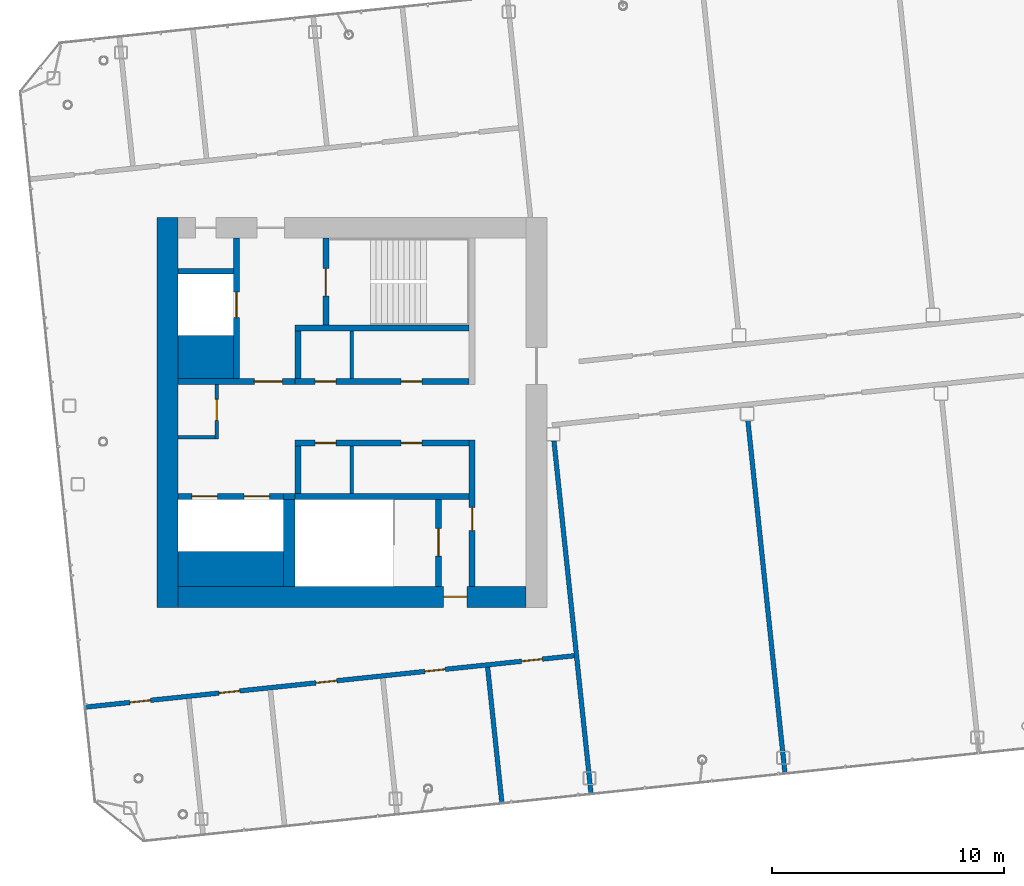
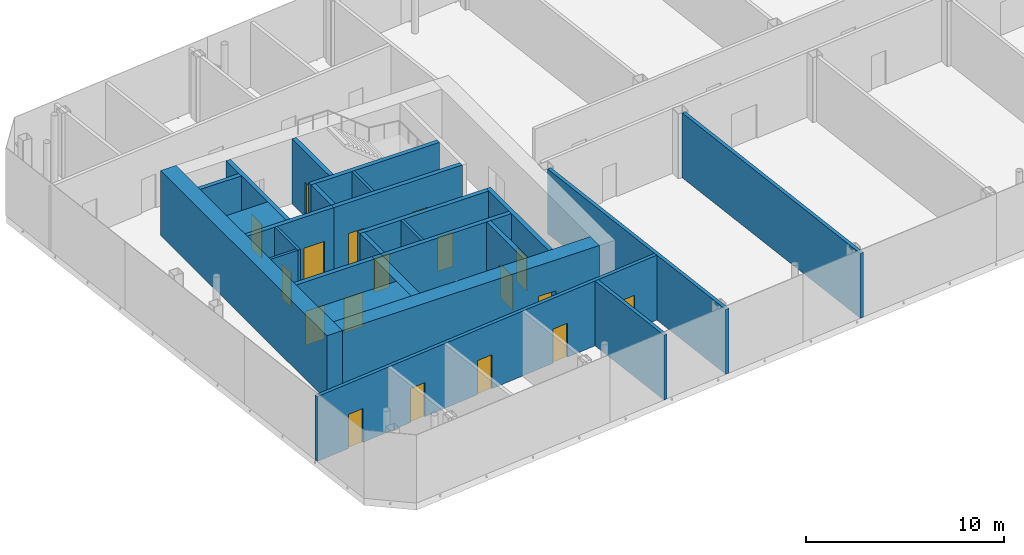
# One storey, part 8 of 28: 27 walls, 18 doors, 18 openings.
"""IFC4 building model written with IfcOpenShell, lengths in metres."""

from ifc_helpers import new_model, si_unit, direction, frame, frame_2d, origin, place, context, subcontext, project, spatial, rectangle, extrude, material, layer, layer_set, type_object, element, fill, save


model = new_model("IFC4")

# Units and contexts
model_context = context("Model", 3, precision=1e-05, world=origin(), true_north=direction((0.0, 1.0)))
body_context = subcontext(model_context, "Body", "Model", "MODEL_VIEW")
ifc_project = project(units=[si_unit("LENGTHUNIT", "METRE"), si_unit("AREAUNIT", "SQUARE_METRE"), si_unit("VOLUMEUNIT", "CUBIC_METRE"), si_unit("PLANEANGLEUNIT", "RADIAN"), si_unit("MASSUNIT", "GRAM", prefix="KILO")], contexts=[model_context])

# Site, building, storey
site_placement = place(None, origin())
site = spatial("IfcSite", under=ifc_project, at=site_placement, CompositionType="ELEMENT")
building_placement = place(site_placement, origin())
building = spatial("IfcBuilding", under=site, at=building_placement, Name="Hakoniwa Tower and Hamabe Station Hall", CompositionType="ELEMENT")
storey_placement = place(building_placement, frame((0.0, 0.0, 280.800048828125)))
storey = spatial("IfcBuildingStorey", under=building, at=storey_placement, Name="L78", CompositionType="ELEMENT", Elevation=280.800048828125)

# Wall, opening, door
ifc_material_1 = material(Name="Gypsum board partition")
ifc_layer_1 = layer(ifc_material_1, 0.14990234375)
ifc_layer_set_1 = layer_set([ifc_layer_1], Name="CORE PARTITION 150 EI 60")
wall_type_1 = type_object("IfcWallType", Name="CORE PARTITION 150 EI 60", PredefinedType="PARTITIONING", material=ifc_layer_set_1)
wall_1_placement = place(storey_placement, frame((-31.02490234375, -1.14990234375, 0.0), z_axis=(0.0, 0.0, 1.0), x_axis=(0.0, 1.0, 0.0)))
wall_1 = element("IfcWall", 1, at=wall_1_placement, inside=storey, type_object=wall_type_1, Name="Core partition PW0 west", PredefinedType="PARTITIONING", context=body_context, shape_type="SweptSolid", body=[
    extrude(rectangle(XDim=2.349853515625, YDim=0.14990234375, at=frame_2d((1.1748046875, 0.0))), origin(), (0.0, 0.0, 1.0), 4.0),
])
opening_1_placement = place(wall_1_placement, frame((0.800048828125, 0.0, 0.0)))
opening_1 = element("IfcOpeningElement", 2, at=opening_1_placement, cuts=wall_1, Name="Opening CD-W-RM1-9", PredefinedType="OPENING", context=body_context, shape_type="SweptSolid", body=[
    extrude(rectangle(XDim=0.89990234375, YDim=2.10009765625, at=frame_2d((0.449951171875, 1.050048828125))), frame((0.0, 0.0849609375, 0.0), z_axis=(0.0, -1.0, 0.0), x_axis=(1.0, 0.0, 0.0)), (0.0, 0.0, 1.0), 0.169921875),
])
ifc_material_2 = material(Name="Steel fire door", Category="steel")
door_type_1 = type_object("IfcDoorType", Name="CORE DOOR 900 FD30", OperationType="NOTDEFINED", PredefinedType="DOOR", material=ifc_material_2)
door_1_placement = place(opening_1_placement, origin())
door_1 = element("IfcDoor", 3, at=door_1_placement, inside=storey, type_object=door_type_1, Name="Store room door", OperationType="SINGLE_SWING_RIGHT", OverallHeight=2.10009765625, OverallWidth=0.89990234375, PredefinedType="DOOR", context=body_context, shape_type="SweptSolid", body=[
    extrude(rectangle(XDim=0.89990234375, YDim=2.10009765625, at=frame_2d((0.449951171875, 1.050048828125))), frame((0.0, 0.02490234375, 0.0), z_axis=(0.0, -1.0, 0.0), x_axis=(1.0, 0.0, 0.0)), (0.0, 0.0, 1.0), 0.050048828125),
])
fill(opening_1, door_1)

# Walls
wall_2_placement = place(storey_placement, frame((-32.699951171875, -1.074951171875, 0.0), z_axis=(0.0, 0.0, 1.0), x_axis=(1.0, 0.0, 0.0)))
element("IfcWall", 4, at=wall_2_placement, inside=storey, type_object=wall_type_1, Name="Core partition PS west", PredefinedType="PARTITIONING", context=body_context, shape_type="SweptSolid", body=[
    extrude(rectangle(XDim=1.599853515625, YDim=0.14990234375, at=frame_2d((0.7998046875, 0.0))), origin(), (0.0, 0.0, 1.0), 4.0),
])
for number, where, z_axis, x_axis, name in (
    (5, (-25.199951171875, 1.449951171875, 0.0), (0.0, 0.0, 1.0), (0.0, 1.0, 0.0), "Core partition PFLR0 west"),
    (6, (-25.199951171875, -3.5, 0.0), (0.0, 0.0, 1.0), (0.0, 1.0, 0.0), "Core partition PFHR0 west"),
):
    element("IfcWall", number, at=place(storey_placement, frame(where, z_axis=z_axis, x_axis=x_axis)), inside=storey, type_object=wall_type_1, Name=name, PredefinedType="PARTITIONING", context=body_context, shape_type="SweptSolid", body=[
        extrude(rectangle(XDim=2.050048828125, YDim=0.14990234375, at=frame_2d((1.02490234375, 0.0))), origin(), (0.0, 0.0, 1.0), 4.0),
    ])
ifc_material_3 = material(Name="Concrete C60", Category="concrete")
ifc_layer_2 = layer(ifc_material_3, 0.89990234375)
ifc_layer_set_2 = layer_set([ifc_layer_2], Name="CORE WALL 900 C60")
wall_type_2 = type_object("IfcWallType", Name="CORE WALL 900 C60", PredefinedType="SHEAR", material=ifc_layer_set_2)
wall_3_placement = place(storey_placement, frame((-33.14990234375, -8.39990234375, 0.0), z_axis=(0.0, 0.0, 1.0), x_axis=(0.0, 1.0, 0.0)))
element("IfcWall", 7, at=wall_3_placement, inside=storey, type_object=wall_type_2, Name="Core wall OUTER west", PredefinedType="SHEAR", context=body_context, shape_type="SweptSolid", body=[
    extrude(rectangle(XDim=16.7998046875, YDim=0.89990234375, at=frame_2d((8.39990234375, 0.0))), origin(), (0.0, 0.0, 1.0), 4.0),
])

# Wall, opening, door
wall_4_placement = place(storey_placement, frame((-32.699951171875, -7.949951171875, 0.0), z_axis=(0.0, 0.0, 1.0), x_axis=(1.0, 0.0, 0.0)))
wall_4 = element("IfcWall", 8, at=wall_4_placement, inside=storey, type_object=wall_type_2, Name="Core wall SOUTH west", PredefinedType="SHEAR", context=body_context, shape_type="SweptSolid", body=[
    extrude(rectangle(XDim=15.0, YDim=0.89990234375, at=frame_2d((7.5, 0.0))), origin(), (0.0, 0.0, 1.0), 4.0),
])
opening_2_placement = place(wall_4_placement, frame((11.449951171875, 0.0, 0.0)))
opening_2 = element("IfcOpeningElement", 9, at=opening_2_placement, cuts=wall_4, Name="Opening CD-W-FS3-10", PredefinedType="OPENING", context=body_context, shape_type="SweptSolid", body=[
    extrude(rectangle(XDim=1.0, YDim=2.10009765625, at=frame_2d((0.5, 1.050048828125))), frame((0.0, 0.4599609375, 0.0), z_axis=(0.0, -1.0, 0.0), x_axis=(1.0, 0.0, 0.0)), (0.0, 0.0, 1.0), 0.919921875),
])
ifc_material_4 = material(Name="Steel fire door", Category="steel")
door_type_2 = type_object("IfcDoorType", Name="CORE DOOR 1000 FD60", OperationType="NOTDEFINED", PredefinedType="DOOR", material=ifc_material_4)
door_2_placement = place(opening_2_placement, origin())
door_2 = element("IfcDoor", 10, at=door_2_placement, inside=storey, type_object=door_type_2, Name="Stair vestibule door", OperationType="SINGLE_SWING_LEFT", OverallHeight=2.10009765625, OverallWidth=1.0, PredefinedType="DOOR", context=body_context, shape_type="SweptSolid", body=[
    extrude(rectangle(XDim=1.0, YDim=2.10009765625, at=frame_2d((0.5, 1.050048828125))), frame((0.0, 0.02490234375, 0.0), z_axis=(0.0, -1.0, 0.0), x_axis=(1.0, 0.0, 0.0)), (0.0, 0.0, 1.0), 0.050048828125),
])
fill(opening_2, door_2)

# Walls
ifc_material_5 = material(Name="Concrete C60", Category="concrete")
ifc_layer_3 = layer(ifc_material_5, 1.5)
ifc_layer_set_3 = layer_set([ifc_layer_3], Name="CORE WEB WALL 1500 C60")
wall_type_3 = type_object("IfcWallType", Name="CORE WEB WALL 1500 C60", PredefinedType="SHEAR", material=ifc_layer_set_3)
wall_5_placement = place(storey_placement, frame((-32.699951171875, -6.75, 0.0), z_axis=(0.0, 0.0, 1.0), x_axis=(1.0, 0.0, 0.0)))
element("IfcWall", 11, at=wall_5_placement, inside=storey, type_object=wall_type_3, Name="Core wall SER west", PredefinedType="SHEAR", context=body_context, shape_type="SweptSolid", body=[
    extrude(rectangle(XDim=4.550048828125, YDim=1.5, at=frame_2d((2.27490234375, 0.0))), origin(), (0.0, 0.0, 1.0), 4.0),
])
ifc_material_6 = material(Name="Concrete C60", Category="concrete")
ifc_layer_4 = layer(ifc_material_6, 1.85009765625)
ifc_layer_set_4 = layer_set([ifc_layer_4], Name="CORE WEB WALL 1850 C60")
wall_type_4 = type_object("IfcWallType", Name="CORE WEB WALL 1850 C60", PredefinedType="SHEAR", material=ifc_layer_set_4)
wall_6_placement = place(storey_placement, frame((-32.699951171875, 2.375, 0.0), z_axis=(0.0, 0.0, 1.0), x_axis=(1.0, 0.0, 0.0)))
element("IfcWall", 12, at=wall_6_placement, inside=storey, type_object=wall_type_4, Name="Core wall CA west", PredefinedType="SHEAR", context=body_context, shape_type="SweptSolid", body=[
    extrude(rectangle(XDim=2.39990234375, YDim=1.85009765625, at=frame_2d((1.199951171875, 0.0))), origin(), (0.0, 0.0, 1.0), 4.0),
])

# Wall, opening, door
ifc_material_7 = material(Name="Concrete C60", Category="concrete")
ifc_layer_5 = layer(ifc_material_7, 0.25)
ifc_layer_set_5 = layer_set([ifc_layer_5], Name="CORE WEB WALL 250 C60")
wall_type_5 = type_object("IfcWallType", Name="CORE WEB WALL 250 C60", PredefinedType="SHEAR", material=ifc_layer_set_5)
wall_7_placement = place(storey_placement, frame((-20.02490234375, -7.5, 0.0), z_axis=(0.0, 0.0, 1.0), x_axis=(0.0, 1.0, 0.0)))
wall_7 = element("IfcWall", 13, at=wall_7_placement, inside=storey, type_object=wall_type_5, Name="Core wall W1S west", PredefinedType="SHEAR", context=body_context, shape_type="SweptSolid", body=[
    extrude(rectangle(XDim=6.300048828125, YDim=0.25, at=frame_2d((3.14990234375, 0.0))), origin(), (0.0, 0.0, 1.0), 4.0),
])
opening_3_placement = place(wall_7_placement, frame((2.39990234375, 0.0, 0.0)))
opening_3 = element("IfcOpeningElement", 14, at=opening_3_placement, cuts=wall_7, Name="Opening CD-W-VS-10", PredefinedType="OPENING", context=body_context, shape_type="SweptSolid", body=[
    extrude(rectangle(XDim=1.0, YDim=2.10009765625, at=frame_2d((0.5, 1.050048828125))), frame((0.0, 0.135009765625, 0.0), z_axis=(0.0, -1.0, 0.0), x_axis=(1.0, 0.0, 0.0)), (0.0, 0.0, 1.0), 0.27001953125),
])
door_3_placement = place(opening_3_placement, origin())
door_3 = element("IfcDoor", 15, at=door_3_placement, inside=storey, type_object=door_type_2, Name="Stair vestibule door", OperationType="SINGLE_SWING_LEFT", OverallHeight=2.10009765625, OverallWidth=1.0, PredefinedType="DOOR", context=body_context, shape_type="SweptSolid", body=[
    extrude(rectangle(XDim=1.0, YDim=2.10009765625, at=frame_2d((0.5, 1.050048828125))), frame((0.0, 0.02490234375, 0.0), z_axis=(0.0, -1.0, 0.0), x_axis=(1.0, 0.0, 0.0)), (0.0, 0.0, 1.0), 0.050048828125),
])
fill(opening_3, door_3)

# Wall, openings, doors
wall_8_placement = place(storey_placement, frame((-27.64990234375, 1.324951171875, 0.0), z_axis=(0.0, 0.0, 1.0), x_axis=(1.0, 0.0, 0.0)))
wall_8 = element("IfcWall", 16, at=wall_8_placement, inside=storey, type_object=wall_type_5, Name="Core wall NF west", PredefinedType="SHEAR", context=body_context, shape_type="SweptSolid", body=[
    extrude(rectangle(XDim=7.5, YDim=0.25, at=frame_2d((3.75, 0.0))), origin(), (0.0, 0.0, 1.0), 4.0),
])
opening_4_placement = place(wall_8_placement, frame((4.5625, 0.0, 0.0)))
opening_4 = element("IfcOpeningElement", 17, at=opening_4_placement, cuts=wall_8, Name="Opening CD-W-FRLR0-9", PredefinedType="OPENING", context=body_context, shape_type="SweptSolid", body=[
    extrude(rectangle(XDim=0.89990234375, YDim=2.10009765625, at=frame_2d((0.449951171875, 1.050048828125))), frame((0.0, 0.135009765625, 0.0), z_axis=(0.0, -1.0, 0.0), x_axis=(1.0, 0.0, 0.0)), (0.0, 0.0, 1.0), 0.27001953125),
])
opening_5_placement = place(wall_8_placement, frame((0.862548828125, 0.0, 0.0)))
opening_5 = element("IfcOpeningElement", 18, at=opening_5_placement, cuts=wall_8, Name="Opening CD-W-FRLR1-9", PredefinedType="OPENING", context=body_context, shape_type="SweptSolid", body=[
    extrude(rectangle(XDim=0.89990234375, YDim=2.10009765625, at=frame_2d((0.449951171875, 1.050048828125))), frame((0.0, 0.135009765625, 0.0), z_axis=(0.0, -1.0, 0.0), x_axis=(1.0, 0.0, 0.0)), (0.0, 0.0, 1.0), 0.27001953125),
])
door_4_placement = place(opening_4_placement, origin())
door_4 = element("IfcDoor", 19, at=door_4_placement, inside=storey, type_object=door_type_1, Name="Store room door", OperationType="SINGLE_SWING_RIGHT", OverallHeight=2.10009765625, OverallWidth=0.89990234375, PredefinedType="DOOR", context=body_context, shape_type="SweptSolid", body=[
    extrude(rectangle(XDim=0.89990234375, YDim=2.10009765625, at=frame_2d((0.449951171875, 1.050048828125))), frame((0.0, 0.02490234375, 0.0), z_axis=(0.0, -1.0, 0.0), x_axis=(1.0, 0.0, 0.0)), (0.0, 0.0, 1.0), 0.050048828125),
])
fill(opening_4, door_4)
door_5_placement = place(opening_5_placement, origin())
door_5 = element("IfcDoor", 20, at=door_5_placement, inside=storey, type_object=door_type_1, Name="Store room door", OperationType="SINGLE_SWING_LEFT", OverallHeight=2.10009765625, OverallWidth=0.89990234375, PredefinedType="DOOR", context=body_context, shape_type="SweptSolid", body=[
    extrude(rectangle(XDim=0.89990234375, YDim=2.10009765625, at=frame_2d((0.449951171875, 1.050048828125))), frame((0.0, 0.02490234375, 0.0), z_axis=(0.0, -1.0, 0.0), x_axis=(1.0, 0.0, 0.0)), (0.0, 0.0, 1.0), 0.050048828125),
])
fill(opening_5, door_5)

# Walls
wall_9_placement = place(storey_placement, frame((-27.52490234375, 1.449951171875, 0.0), z_axis=(0.0, 0.0, 1.0), x_axis=(0.0, 1.0, 0.0)))
element("IfcWall", 21, at=wall_9_placement, inside=storey, type_object=wall_type_5, Name="Core wall NE west", PredefinedType="SHEAR", context=body_context, shape_type="SweptSolid", body=[
    extrude(rectangle(XDim=2.050048828125, YDim=0.25, at=frame_2d((1.02490234375, 0.0))), origin(), (0.0, 0.0, 1.0), 4.0),
])
wall_10_placement = place(storey_placement, frame((-27.64990234375, 3.625, 0.0), z_axis=(0.0, 0.0, 1.0), x_axis=(1.0, 0.0, 0.0)))
element("IfcWall", 22, at=wall_10_placement, inside=storey, type_object=wall_type_5, Name="Core wall NR west", PredefinedType="SHEAR", context=body_context, shape_type="SweptSolid", body=[
    extrude(rectangle(XDim=7.5, YDim=0.25, at=frame_2d((3.75, 0.0))), origin(), (0.0, 0.0, 1.0), 4.0),
])

# Wall, opening, door
wall_11_placement = place(storey_placement, frame((-26.324951171875, 3.75, 0.0), z_axis=(0.0, 0.0, 1.0), x_axis=(0.0, 1.0, 0.0)))
wall_11 = element("IfcWall", 23, at=wall_11_placement, inside=storey, type_object=wall_type_5, Name="Core wall NSE west", PredefinedType="SHEAR", context=body_context, shape_type="SweptSolid", body=[
    extrude(rectangle(XDim=3.75, YDim=0.25, at=frame_2d((1.875, 0.0))), origin(), (0.0, 0.0, 1.0), 4.0),
])
opening_6_placement = place(wall_11_placement, frame((1.25, 0.0, 0.0)))
opening_6 = element("IfcOpeningElement", 24, at=opening_6_placement, cuts=wall_11, Name="Opening CD-W-SN-12", PredefinedType="OPENING", context=body_context, shape_type="SweptSolid", body=[
    extrude(rectangle(XDim=1.199951171875, YDim=2.10009765625, at=frame_2d((0.60009765625, 1.050048828125))), frame((0.0, 0.135009765625, 0.0), z_axis=(0.0, -1.0, 0.0), x_axis=(1.0, 0.0, 0.0)), (0.0, 0.0, 1.0), 0.27001953125),
])
ifc_material_8 = material(Name="Steel fire door", Category="steel")
door_type_3 = type_object("IfcDoorType", Name="CORE DOOR 1200 FD60", OperationType="DOUBLE_DOOR_SINGLE_SWING", PredefinedType="DOOR", material=ifc_material_8)
door_6_placement = place(opening_6_placement, origin())
door_6 = element("IfcDoor", 25, at=door_6_placement, inside=storey, type_object=door_type_3, Name="Escape stair door", OperationType="DOUBLE_DOOR_SINGLE_SWING", OverallHeight=2.10009765625, OverallWidth=1.199951171875, PredefinedType="DOOR", context=body_context, shape_type="SweptSolid", body=[
    extrude(rectangle(XDim=1.199951171875, YDim=2.10009765625, at=frame_2d((0.60009765625, 1.050048828125))), frame((0.0, 0.02490234375, 0.0), z_axis=(0.0, -1.0, 0.0), x_axis=(1.0, 0.0, 0.0)), (0.0, 0.0, 1.0), 0.050048828125),
])
fill(opening_6, door_6)

wall_12_placement = place(storey_placement, frame((-32.699951171875, 1.324951171875, 0.0), z_axis=(0.0, 0.0, 1.0), x_axis=(1.0, 0.0, 0.0)))
wall_12 = element("IfcWall", 26, at=wall_12_placement, inside=storey, type_object=wall_type_5, Name="Core wall ELN west", PredefinedType="SHEAR", context=body_context, shape_type="SweptSolid", body=[
    extrude(rectangle(XDim=5.050048828125, YDim=0.25, at=frame_2d((2.52490234375, 0.0))), origin(), (0.0, 0.0, 1.0), 4.0),
])
opening_7_placement = place(wall_12_placement, frame((3.300048828125, 0.0, 0.0)))
opening_7 = element("IfcOpeningElement", 27, at=opening_7_placement, cuts=wall_12, Name="Opening CD-W-FL-12", PredefinedType="OPENING", context=body_context, shape_type="SweptSolid", body=[
    extrude(rectangle(XDim=1.199951171875, YDim=2.10009765625, at=frame_2d((0.60009765625, 1.050048828125))), frame((0.0, 0.135009765625, 0.0), z_axis=(0.0, -1.0, 0.0), x_axis=(1.0, 0.0, 0.0)), (0.0, 0.0, 1.0), 0.27001953125),
])
door_7_placement = place(opening_7_placement, origin())
door_7 = element("IfcDoor", 28, at=door_7_placement, inside=storey, type_object=door_type_3, Name="Stair vestibule door to the fire-fighting lobby", OperationType="DOUBLE_DOOR_SINGLE_SWING", OverallHeight=2.10009765625, OverallWidth=1.199951171875, PredefinedType="DOOR", context=body_context, shape_type="SweptSolid", body=[
    extrude(rectangle(XDim=1.199951171875, YDim=2.10009765625, at=frame_2d((0.60009765625, 1.050048828125))), frame((0.0, 0.02490234375, 0.0), z_axis=(0.0, -1.0, 0.0), x_axis=(1.0, 0.0, 0.0)), (0.0, 0.0, 1.0), 0.050048828125),
])
fill(opening_7, door_7)

wall_13_placement = place(storey_placement, frame((-30.175048828125, 1.449951171875, 0.0), z_axis=(0.0, 0.0, 1.0), x_axis=(0.0, 1.0, 0.0)))
wall_13 = element("IfcWall", 29, at=wall_13_placement, inside=storey, type_object=wall_type_5, Name="Core wall FFF west", PredefinedType="SHEAR", context=body_context, shape_type="SweptSolid", body=[
    extrude(rectangle(XDim=6.050048828125, YDim=0.25, at=frame_2d((3.02490234375, 0.0))), origin(), (0.0, 0.0, 1.0), 4.0),
])
opening_8_placement = place(wall_13_placement, frame((2.625, 0.0, 0.0)))
opening_8 = element("IfcOpeningElement", 30, at=opening_8_placement, cuts=wall_13, Name="Opening LD-FF1", PredefinedType="OPENING", context=body_context, shape_type="SweptSolid", body=[
    extrude(rectangle(XDim=1.10009765625, YDim=2.10009765625, at=frame_2d((0.550048828125, 1.050048828125))), frame((0.0, 0.135009765625, 0.0), z_axis=(0.0, -1.0, 0.0), x_axis=(1.0, 0.0, 0.0)), (0.0, 0.0, 1.0), 0.27001953125),
])
ifc_material_9 = material(Name="Stainless steel SUS304", Category="steel")
door_type_4 = type_object("IfcDoorType", Name="LIFT LANDING DOOR 1100 FD60", OperationType="DOUBLE_DOOR_SLIDING", PredefinedType="DOOR", material=ifc_material_9)
door_8_placement = place(opening_8_placement, origin())
door_8 = element("IfcDoor", 31, at=door_8_placement, inside=storey, type_object=door_type_4, Name="Lift landing door FF1 L78", OperationType="DOUBLE_DOOR_SLIDING", OverallHeight=2.10009765625, OverallWidth=1.10009765625, PredefinedType="DOOR", context=body_context, shape_type="SweptSolid", body=[
    extrude(rectangle(XDim=1.10009765625, YDim=2.10009765625, at=frame_2d((0.550048828125, 1.050048828125))), frame((0.0, 0.02490234375, 0.0), z_axis=(0.0, -1.0, 0.0), x_axis=(1.0, 0.0, 0.0)), (0.0, 0.0, 1.0), 0.050048828125),
])
fill(opening_8, door_8)

# Wall
wall_14_placement = place(storey_placement, frame((-32.699951171875, 6.074951171875, 0.0), z_axis=(0.0, 0.0, 1.0), x_axis=(1.0, 0.0, 0.0)))
element("IfcWall", 32, at=wall_14_placement, inside=storey, type_object=wall_type_5, Name="Core wall C2 west", PredefinedType="SHEAR", context=body_context, shape_type="SweptSolid", body=[
    extrude(rectangle(XDim=2.39990234375, YDim=0.25, at=frame_2d((1.199951171875, 0.0))), origin(), (0.0, 0.0, 1.0), 4.0),
])

# Wall, openings, doors
wall_15_placement = place(storey_placement, frame((-27.64990234375, -1.324951171875, 0.0), z_axis=(0.0, 0.0, 1.0), x_axis=(1.0, 0.0, 0.0)))
wall_15 = element("IfcWall", 33, at=wall_15_placement, inside=storey, type_object=wall_type_5, Name="Core wall SF west", PredefinedType="SHEAR", context=body_context, shape_type="SweptSolid", body=[
    extrude(rectangle(XDim=7.5, YDim=0.25, at=frame_2d((3.75, 0.0))), origin(), (0.0, 0.0, 1.0), 4.0),
])
opening_9_placement = place(wall_15_placement, frame((4.5625, 0.0, 0.0)))
opening_9 = element("IfcOpeningElement", 34, at=opening_9_placement, cuts=wall_15, Name="Opening CD-W-FRHR2-9", PredefinedType="OPENING", context=body_context, shape_type="SweptSolid", body=[
    extrude(rectangle(XDim=0.89990234375, YDim=2.10009765625, at=frame_2d((0.449951171875, 1.050048828125))), frame((0.0, 0.135009765625, 0.0), z_axis=(0.0, -1.0, 0.0), x_axis=(1.0, 0.0, 0.0)), (0.0, 0.0, 1.0), 0.27001953125),
])
opening_10_placement = place(wall_15_placement, frame((0.862548828125, 0.0, 0.0)))
opening_10 = element("IfcOpeningElement", 35, at=opening_10_placement, cuts=wall_15, Name="Opening CD-W-FRHR3-9", PredefinedType="OPENING", context=body_context, shape_type="SweptSolid", body=[
    extrude(rectangle(XDim=0.89990234375, YDim=2.10009765625, at=frame_2d((0.449951171875, 1.050048828125))), frame((0.0, 0.135009765625, 0.0), z_axis=(0.0, -1.0, 0.0), x_axis=(1.0, 0.0, 0.0)), (0.0, 0.0, 1.0), 0.27001953125),
])
door_9_placement = place(opening_9_placement, origin())
door_9 = element("IfcDoor", 36, at=door_9_placement, inside=storey, type_object=door_type_1, Name="Store room door", OperationType="SINGLE_SWING_LEFT", OverallHeight=2.10009765625, OverallWidth=0.89990234375, PredefinedType="DOOR", context=body_context, shape_type="SweptSolid", body=[
    extrude(rectangle(XDim=0.89990234375, YDim=2.10009765625, at=frame_2d((0.449951171875, 1.050048828125))), frame((0.0, 0.02490234375, 0.0), z_axis=(0.0, -1.0, 0.0), x_axis=(1.0, 0.0, 0.0)), (0.0, 0.0, 1.0), 0.050048828125),
])
fill(opening_9, door_9)
door_10_placement = place(opening_10_placement, origin())
door_10 = element("IfcDoor", 37, at=door_10_placement, inside=storey, type_object=door_type_1, Name="Store room door", OperationType="SINGLE_SWING_LEFT", OverallHeight=2.10009765625, OverallWidth=0.89990234375, PredefinedType="DOOR", context=body_context, shape_type="SweptSolid", body=[
    extrude(rectangle(XDim=0.89990234375, YDim=2.10009765625, at=frame_2d((0.449951171875, 1.050048828125))), frame((0.0, 0.02490234375, 0.0), z_axis=(0.0, -1.0, 0.0), x_axis=(1.0, 0.0, 0.0)), (0.0, 0.0, 1.0), 0.050048828125),
])
fill(opening_10, door_10)

# Walls
wall_16_placement = place(storey_placement, frame((-27.52490234375, -3.5, 0.0), z_axis=(0.0, 0.0, 1.0), x_axis=(0.0, 1.0, 0.0)))
element("IfcWall", 38, at=wall_16_placement, inside=storey, type_object=wall_type_5, Name="Core wall SE west", PredefinedType="SHEAR", context=body_context, shape_type="SweptSolid", body=[
    extrude(rectangle(XDim=2.050048828125, YDim=0.25, at=frame_2d((1.02490234375, 0.0))), origin(), (0.0, 0.0, 1.0), 4.0),
])
wall_17_placement = place(storey_placement, frame((-27.64990234375, -3.625, 0.0), z_axis=(0.0, 0.0, 1.0), x_axis=(1.0, 0.0, 0.0)))
element("IfcWall", 39, at=wall_17_placement, inside=storey, type_object=wall_type_5, Name="Core wall SR west", PredefinedType="SHEAR", context=body_context, shape_type="SweptSolid", body=[
    extrude(rectangle(XDim=7.5, YDim=0.25, at=frame_2d((3.75, 0.0))), origin(), (0.0, 0.0, 1.0), 4.0),
])

# Wall, opening, door
wall_18_placement = place(storey_placement, frame((-21.47509765625, -7.5, 0.0), z_axis=(0.0, 0.0, 1.0), x_axis=(0.0, 1.0, 0.0)))
wall_18 = element("IfcWall", 40, at=wall_18_placement, inside=storey, type_object=wall_type_5, Name="Core wall VE west", PredefinedType="SHEAR", context=body_context, shape_type="SweptSolid", body=[
    extrude(rectangle(XDim=3.75, YDim=0.25, at=frame_2d((1.875, 0.0))), origin(), (0.0, 0.0, 1.0), 4.0),
])
opening_11_placement = place(wall_18_placement, frame((1.300048828125, 0.0, 0.0)))
opening_11 = element("IfcOpeningElement", 41, at=opening_11_placement, cuts=wall_18, Name="Opening CD-W-SS-12", PredefinedType="OPENING", context=body_context, shape_type="SweptSolid", body=[
    extrude(rectangle(XDim=1.199951171875, YDim=2.10009765625, at=frame_2d((0.60009765625, 1.050048828125))), frame((0.0, 0.135009765625, 0.0), z_axis=(0.0, -1.0, 0.0), x_axis=(1.0, 0.0, 0.0)), (0.0, 0.0, 1.0), 0.27001953125),
])
door_11_placement = place(opening_11_placement, origin())
door_11 = element("IfcDoor", 42, at=door_11_placement, inside=storey, type_object=door_type_3, Name="Escape stair door", OperationType="DOUBLE_DOOR_SINGLE_SWING", OverallHeight=2.10009765625, OverallWidth=1.199951171875, PredefinedType="DOOR", context=body_context, shape_type="SweptSolid", body=[
    extrude(rectangle(XDim=1.199951171875, YDim=2.10009765625, at=frame_2d((0.60009765625, 1.050048828125))), frame((0.0, 0.02490234375, 0.0), z_axis=(0.0, -1.0, 0.0), x_axis=(1.0, 0.0, 0.0)), (0.0, 0.0, 1.0), 0.050048828125),
])
fill(opening_11, door_11)

# Wall, openings, doors
wall_19_placement = place(storey_placement, frame((-32.699951171875, -3.625, 0.0), z_axis=(0.0, 0.0, 1.0), x_axis=(1.0, 0.0, 0.0)))
wall_19 = element("IfcWall", 43, at=wall_19_placement, inside=storey, type_object=wall_type_5, Name="Core wall SEF west", PredefinedType="SHEAR", context=body_context, shape_type="SweptSolid", body=[
    extrude(rectangle(XDim=4.550048828125, YDim=0.25, at=frame_2d((2.27490234375, 0.0))), origin(), (0.0, 0.0, 1.0), 4.0),
])
opening_12_placement = place(wall_19_placement, frame((2.85009765625, 0.0, 0.0)))
opening_12 = element("IfcOpeningElement", 44, at=opening_12_placement, cuts=wall_19, Name="Opening LD-SV1", PredefinedType="OPENING", context=body_context, shape_type="SweptSolid", body=[
    extrude(rectangle(XDim=1.10009765625, YDim=2.10009765625, at=frame_2d((0.550048828125, 1.050048828125))), frame((0.0, 0.135009765625, 0.0), z_axis=(0.0, -1.0, 0.0), x_axis=(1.0, 0.0, 0.0)), (0.0, 0.0, 1.0), 0.27001953125),
])
opening_13_placement = place(wall_19_placement, frame((0.60009765625, 0.0, 0.0)))
opening_13 = element("IfcOpeningElement", 45, at=opening_13_placement, cuts=wall_19, Name="Opening LD-SV2", PredefinedType="OPENING", context=body_context, shape_type="SweptSolid", body=[
    extrude(rectangle(XDim=1.10009765625, YDim=2.10009765625, at=frame_2d((0.550048828125, 1.050048828125))), frame((0.0, 0.135009765625, 0.0), z_axis=(0.0, -1.0, 0.0), x_axis=(1.0, 0.0, 0.0)), (0.0, 0.0, 1.0), 0.27001953125),
])
door_12_placement = place(opening_12_placement, origin())
door_12 = element("IfcDoor", 46, at=door_12_placement, inside=storey, type_object=door_type_4, Name="Lift landing door SV1 L78", OperationType="DOUBLE_DOOR_SLIDING", OverallHeight=2.10009765625, OverallWidth=1.10009765625, PredefinedType="DOOR", context=body_context, shape_type="SweptSolid", body=[
    extrude(rectangle(XDim=1.10009765625, YDim=2.10009765625, at=frame_2d((0.550048828125, 1.050048828125))), frame((0.0, 0.02490234375, 0.0), z_axis=(0.0, -1.0, 0.0), x_axis=(1.0, 0.0, 0.0)), (0.0, 0.0, 1.0), 0.050048828125),
])
fill(opening_12, door_12)
door_13_placement = place(opening_13_placement, origin())
door_13 = element("IfcDoor", 47, at=door_13_placement, inside=storey, type_object=door_type_4, Name="Lift landing door SV2 L78", OperationType="DOUBLE_DOOR_SLIDING", OverallHeight=2.10009765625, OverallWidth=1.10009765625, PredefinedType="DOOR", context=body_context, shape_type="SweptSolid", body=[
    extrude(rectangle(XDim=1.10009765625, YDim=2.10009765625, at=frame_2d((0.550048828125, 1.050048828125))), frame((0.0, 0.02490234375, 0.0), z_axis=(0.0, -1.0, 0.0), x_axis=(1.0, 0.0, 0.0)), (0.0, 0.0, 1.0), 0.050048828125),
])
fill(opening_13, door_13)

# Walls
wall_20_placement = place(storey_placement, frame((-28.14990234375, -3.625, 0.0), z_axis=(0.0, 0.0, 1.0), x_axis=(1.0, 0.0, 0.0)))
element("IfcWall", 48, at=wall_20_placement, inside=storey, type_object=wall_type_5, Name="Core wall SRK west", PredefinedType="SHEAR", context=body_context, shape_type="SweptSolid", body=[
    extrude(rectangle(XDim=0.5, YDim=0.25, at=frame_2d((0.25, 0.0))), origin(), (0.0, 0.0, 1.0), 4.0),
])
ifc_material_10 = material(Name="Concrete C60", Category="concrete")
ifc_layer_6 = layer(ifc_material_10, 0.5)
ifc_layer_set_6 = layer_set([ifc_layer_6], Name="CORE WEB WALL 500 C60")
wall_type_6 = type_object("IfcWallType", Name="CORE WEB WALL 500 C60", PredefinedType="SHEAR", material=ifc_layer_set_6)
wall_21_placement = place(storey_placement, frame((-27.89990234375, -7.5, 0.0), z_axis=(0.0, 0.0, 1.0), x_axis=(0.0, 1.0, 0.0)))
element("IfcWall", 49, at=wall_21_placement, inside=storey, type_object=wall_type_6, Name="Core wall SSE west", PredefinedType="SHEAR", context=body_context, shape_type="SweptSolid", body=[
    extrude(rectangle(XDim=3.75, YDim=0.5, at=frame_2d((1.875, 0.0))), origin(), (0.0, 0.0, 1.0), 4.0),
])

# Wall, openings, doors
ifc_material_11 = material(Name="Fire-rated gypsum board partition", Category="gypsum")
ifc_layer_7 = layer(ifc_material_11, 0.199951171875)
ifc_layer_set_7 = layer_set([ifc_layer_7], Name="Corridor Wall 200")
wall_type_7 = type_object("IfcWallType", Name="Corridor Wall 200", PredefinedType="PARTITIONING", material=ifc_layer_set_7)
wall_22_placement = place(storey_placement, frame((-36.711669921875, -12.704833984375, 0.0), z_axis=(0.0, 0.0, 1.0), x_axis=(0.994522460242, 0.104523088709, 0.0)))
wall_22 = element("IfcWall", 50, at=wall_22_placement, inside=storey, type_object=wall_type_7, Name="GW-L78-002", PredefinedType="PARTITIONING", context=body_context, shape_type="SweptSolid", body=[
    extrude(rectangle(XDim=21.2998046875, YDim=0.199951171875, at=frame_2d((10.64990234375, 0.0))), origin(), (0.0, 0.0, 1.0), 4.0),
])
opening_14_placement = place(wall_22_placement, frame((1.949951171875, 0.0, 0.0)))
opening_14 = element("IfcOpeningElement", 51, at=opening_14_placement, cuts=wall_22, Name="Opening GD-SL78-01", PredefinedType="OPENING", context=body_context, shape_type="SweptSolid", body=[
    extrude(rectangle(XDim=0.89990234375, YDim=2.10009765625, at=frame_2d((0.449951171875, 1.050048828125))), frame((0.0, 0.10986328125, 0.0), z_axis=(0.0, -1.0, 0.0), x_axis=(1.0, 0.0, 0.0)), (0.0, 0.0, 1.0), 0.219970703125),
])
opening_15_placement = place(wall_22_placement, frame((5.81494140625, 0.0, 0.0)))
opening_15 = element("IfcOpeningElement", 52, at=opening_15_placement, cuts=wall_22, Name="Opening GD-SL78-02", PredefinedType="OPENING", context=body_context, shape_type="SweptSolid", body=[
    extrude(rectangle(XDim=0.89990234375, YDim=2.10009765625, at=frame_2d((0.449951171875, 1.050048828125))), frame((0.0, 0.10986328125, 0.0), z_axis=(0.0, -1.0, 0.0), x_axis=(1.0, 0.0, 0.0)), (0.0, 0.0, 1.0), 0.219970703125),
])
opening_16_placement = place(wall_22_placement, frame((10.014892578125, 0.0, 0.0)))
opening_16 = element("IfcOpeningElement", 53, at=opening_16_placement, cuts=wall_22, Name="Opening GD-SL78-03", PredefinedType="OPENING", context=body_context, shape_type="SweptSolid", body=[
    extrude(rectangle(XDim=0.89990234375, YDim=2.10009765625, at=frame_2d((0.449951171875, 1.050048828125))), frame((0.0, 0.10986328125, 0.0), z_axis=(0.0, -1.0, 0.0), x_axis=(1.0, 0.0, 0.0)), (0.0, 0.0, 1.0), 0.219970703125),
])
opening_17_placement = place(wall_22_placement, frame((14.719970703125, 0.0, 0.0)))
opening_17 = element("IfcOpeningElement", 54, at=opening_17_placement, cuts=wall_22, Name="Opening GD-SL78-04", PredefinedType="OPENING", context=body_context, shape_type="SweptSolid", body=[
    extrude(rectangle(XDim=0.89990234375, YDim=2.10009765625, at=frame_2d((0.449951171875, 1.050048828125))), frame((0.0, 0.10986328125, 0.0), z_axis=(0.0, -1.0, 0.0), x_axis=(1.0, 0.0, 0.0)), (0.0, 0.0, 1.0), 0.219970703125),
])
opening_18_placement = place(wall_22_placement, frame((18.919921875, 0.0, 0.0)))
opening_18 = element("IfcOpeningElement", 55, at=opening_18_placement, cuts=wall_22, Name="Opening GD-SL78-05", PredefinedType="OPENING", context=body_context, shape_type="SweptSolid", body=[
    extrude(rectangle(XDim=0.89990234375, YDim=2.10009765625, at=frame_2d((0.449951171875, 1.050048828125))), frame((0.0, 0.10986328125, 0.0), z_axis=(0.0, -1.0, 0.0), x_axis=(1.0, 0.0, 0.0)), (0.0, 0.0, 1.0), 0.219970703125),
])
ifc_material_12 = material(Name="Timber door leaf", Category="wood")
door_type_5 = type_object("IfcDoorType", Name="Service Door 900", OperationType="SINGLE_SWING_LEFT", PredefinedType="DOOR", material=ifc_material_12)
door_14_placement = place(opening_14_placement, origin())
door_14 = element("IfcDoor", 56, at=door_14_placement, inside=storey, type_object=door_type_5, Name="Door GD-SL78-01", OperationType="SINGLE_SWING_RIGHT", OverallHeight=2.10009765625, OverallWidth=0.89990234375, PredefinedType="DOOR", context=body_context, shape_type="SweptSolid", body=[
    extrude(rectangle(XDim=0.89990234375, YDim=2.10009765625, at=frame_2d((0.449951171875, 1.050048828125))), frame((0.0, 0.02490234375, 0.0), z_axis=(0.0, -1.0, 0.0), x_axis=(1.0, 0.0, 0.0)), (0.0, 0.0, 1.0), 0.050048828125),
])
fill(opening_14, door_14)
door_15_placement = place(opening_15_placement, origin())
door_15 = element("IfcDoor", 57, at=door_15_placement, inside=storey, type_object=door_type_5, Name="Door GD-SL78-02", OperationType="SINGLE_SWING_RIGHT", OverallHeight=2.10009765625, OverallWidth=0.89990234375, PredefinedType="DOOR", context=body_context, shape_type="SweptSolid", body=[
    extrude(rectangle(XDim=0.89990234375, YDim=2.10009765625, at=frame_2d((0.449951171875, 1.050048828125))), frame((0.0, 0.02490234375, 0.0), z_axis=(0.0, -1.0, 0.0), x_axis=(1.0, 0.0, 0.0)), (0.0, 0.0, 1.0), 0.050048828125),
])
fill(opening_15, door_15)
door_16_placement = place(opening_16_placement, origin())
door_16 = element("IfcDoor", 58, at=door_16_placement, inside=storey, type_object=door_type_5, Name="Door GD-SL78-03", OperationType="SINGLE_SWING_LEFT", OverallHeight=2.10009765625, OverallWidth=0.89990234375, PredefinedType="DOOR", context=body_context, shape_type="SweptSolid", body=[
    extrude(rectangle(XDim=0.89990234375, YDim=2.10009765625, at=frame_2d((0.449951171875, 1.050048828125))), frame((0.0, 0.02490234375, 0.0), z_axis=(0.0, -1.0, 0.0), x_axis=(1.0, 0.0, 0.0)), (0.0, 0.0, 1.0), 0.050048828125),
])
fill(opening_16, door_16)
door_17_placement = place(opening_17_placement, origin())
door_17 = element("IfcDoor", 59, at=door_17_placement, inside=storey, type_object=door_type_5, Name="Door GD-SL78-04", OperationType="SINGLE_SWING_RIGHT", OverallHeight=2.10009765625, OverallWidth=0.89990234375, PredefinedType="DOOR", context=body_context, shape_type="SweptSolid", body=[
    extrude(rectangle(XDim=0.89990234375, YDim=2.10009765625, at=frame_2d((0.449951171875, 1.050048828125))), frame((0.0, 0.02490234375, 0.0), z_axis=(0.0, -1.0, 0.0), x_axis=(1.0, 0.0, 0.0)), (0.0, 0.0, 1.0), 0.050048828125),
])
fill(opening_17, door_17)
door_18_placement = place(opening_18_placement, origin())
door_18 = element("IfcDoor", 60, at=door_18_placement, inside=storey, type_object=door_type_5, Name="Door GD-SL78-05", OperationType="SINGLE_SWING_LEFT", OverallHeight=2.10009765625, OverallWidth=0.89990234375, PredefinedType="DOOR", context=body_context, shape_type="SweptSolid", body=[
    extrude(rectangle(XDim=0.89990234375, YDim=2.10009765625, at=frame_2d((0.449951171875, 1.050048828125))), frame((0.0, 0.02490234375, 0.0), z_axis=(0.0, -1.0, 0.0), x_axis=(1.0, 0.0, 0.0)), (0.0, 0.0, 1.0), 0.050048828125),
])
fill(opening_18, door_18)

# Walls
ifc_material_13 = material(Name="Fire-rated gypsum board partition", Category="gypsum")
ifc_layer_8 = layer(ifc_material_13, 0.199951171875)
ifc_layer_set_8 = layer_set([ifc_layer_8], Name="Party Wall 200")
wall_type_8 = type_object("IfcWallType", Name="Party Wall 200", PredefinedType="PARTITIONING", material=ifc_layer_set_8)
wall_23_placement = place(storey_placement, frame((-18.738525390625, -16.86474609375, 0.0), z_axis=(0.0, 0.0, 1.0), x_axis=(-0.10453655107, 0.994521045273, 0.0)))
element("IfcWall", 61, at=wall_23_placement, inside=storey, type_object=wall_type_8, Name="GW-L78-014", PredefinedType="PARTITIONING", context=body_context, shape_type="SweptSolid", body=[
    extrude(rectangle(XDim=5.915771484375, YDim=0.199951171875, at=frame_2d((2.9580078125, 0.0))), origin(), (0.0, 0.0, 1.0), 4.0),
])
for number, where, z_axis, x_axis, name in (
    (62, (-14.899658203125, -16.46142578125, 0.0), (0.0, 0.0, 1.0), (-0.104523729364, 0.99452239291, 0.0), "GW-L78-015"),
    (63, (-6.545654296875, -15.583251953125, 0.0), (0.0, 0.0, 1.0), (-0.104523729364, 0.99452239291, 0.0), "GW-L78-017"),
):
    element("IfcWall", number, at=place(storey_placement, frame(where, z_axis=z_axis, x_axis=x_axis)), inside=storey, type_object=wall_type_8, Name=name, PredefinedType="PARTITIONING", context=body_context, shape_type="SweptSolid", body=[
        extrude(rectangle(XDim=15.308349609375, YDim=0.199951171875, at=frame_2d((7.654296875, 0.0))), origin(), (0.0, 0.0, 1.0), 4.0),
    ])

save(model, "model.ifc")
